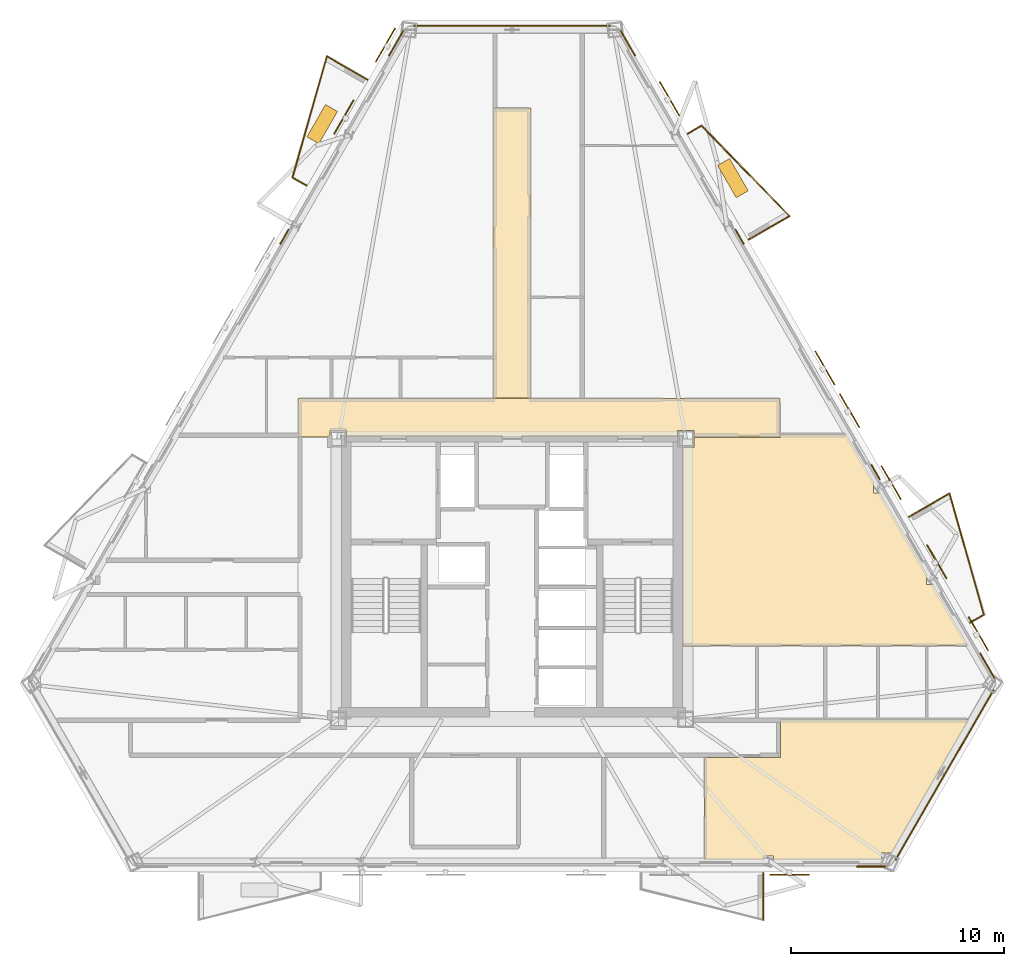
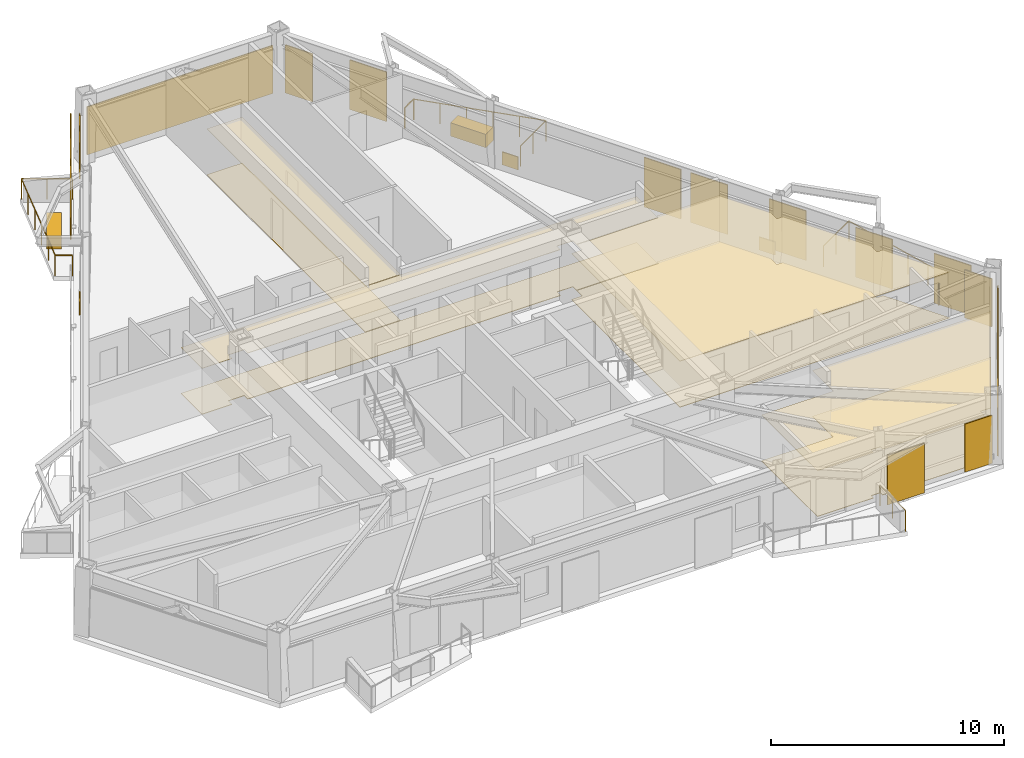
# One storey, part 9 of 9: 19 coverings, 10 railings, 9 shading devices.
"""IFC4 building model written with IfcOpenShell, lengths in metres."""

from ifc_helpers import new_model, si_unit, direction, frame, origin, origin_2d, place, context, subcontext, project, spatial, polyline, rectangle, circle, outline, extrude, material, layer, layer_set, type_object, element, save


model = new_model("IFC4")

# Units and contexts
model_context = context("Model", 3, precision=1e-05, world=origin(), true_north=direction((0.0, 1.0)))
body_context = subcontext(model_context, "Body", "Model", "MODEL_VIEW")
ifc_project = project(units=[si_unit("LENGTHUNIT", "METRE"), si_unit("AREAUNIT", "SQUARE_METRE"), si_unit("VOLUMEUNIT", "CUBIC_METRE"), si_unit("PLANEANGLEUNIT", "RADIAN"), si_unit("MASSUNIT", "GRAM", prefix="KILO")], contexts=[model_context])

# Site, building, storey
site_placement = place(None, origin())
site = spatial("IfcSite", under=ifc_project, at=site_placement, CompositionType="ELEMENT")
building_placement = place(site_placement, origin())
building = spatial("IfcBuilding", under=site, at=building_placement, Name="Oramaril Tower", CompositionType="ELEMENT")
storey_placement = place(building_placement, frame((0.0, 0.0, 145.800048828125)))
storey = spatial("IfcBuildingStorey", under=building, at=storey_placement, Name="L38", CompositionType="ELEMENT", Elevation=145.800048828125)

# Coverings
ifc_material_1 = material(Name="Mineral Fibre Acoustic Ceiling")
ifc_layer_1 = layer(ifc_material_1, 0.02001953125)
ifc_layer_set_1 = layer_set([ifc_layer_1], Name="CVT-CEIL")
covering_type_1 = type_object("IfcCoveringType", Name="CVT-CEIL", PredefinedType="CEILING", material=ifc_layer_set_1)
covering_1_placement = place(storey_placement, frame((0.0, 0.0, 2.411865234375)))
element("IfcCovering", 1, at=covering_1_placement, inside=storey, type_object=covering_type_1, Name="L38 Acoustic Suspended Ceiling 2", PredefinedType="CEILING", context=body_context, shape_type="SweptSolid", body=[
    extrude(outline(polyline([(50.080078125, 24.239990234375), (46.044921875, 24.239990234375), (46.044921875, 24.544921875), (45.2548828125, 24.544921875), (45.2548828125, 24.25), (29.7451171875, 24.25), (29.7451171875, 24.544921875), (28.955078125, 24.544921875), (28.955078125, 24.239990234375), (27.469970703125, 24.239990234375), (27.469970703125, 26.050048828125), (50.080078125, 26.050048828125), (50.080078125, 24.239990234375)])), origin(), (0.0, 0.0, 1.0), 0.02001953125),
])
covering_2_placement = place(storey_placement, frame((0.0, 0.0, 2.411865234375)))
element("IfcCovering", 2, at=covering_2_placement, inside=storey, type_object=covering_type_1, Name="L38 Acoustic Suspended Ceiling 4", PredefinedType="CEILING", context=body_context, shape_type="SweptSolid", body=[
    extrude(outline(polyline([(38.3798828125, 26.070068359375), (36.6201171875, 26.070068359375), (36.6201171875, 39.679931640625), (38.3798828125, 39.679931640625), (38.3798828125, 26.070068359375)])), origin(), (0.0, 0.0, 1.0), 0.02001953125),
])
covering_3_placement = place(storey_placement, frame((0.0, 0.0, 2.411865234375)))
element("IfcCovering", 3, at=covering_3_placement, inside=storey, type_object=covering_type_1, Name="L38 Acoustic Suspended Ceiling 7", PredefinedType="CEILING", context=body_context, shape_type="SweptSolid", body=[
    extrude(outline(polyline([(58.952880859375, 10.991943359375), (55.335693359375, 4.726806640625), (54.831787109375, 4.726806640625), (54.831787109375, 4.38671875), (49.780029296875, 4.38671875), (49.780029296875, 4.576416015625), (49.317626953125, 4.576416015625), (49.317626953125, 4.38671875), (46.540283203125, 4.38671875), (46.540283203125, 9.199951171875), (50.080078125, 9.199951171875), (50.08203125, 9.2001953125), (50.083984375, 9.200439453125), (50.085693359375, 9.200927734375), (50.087646484375, 9.201416015625), (50.08935546875, 9.202392578125), (50.091064453125, 9.203369140625), (50.0927734375, 9.20458984375), (50.093994140625, 9.205810546875), (50.095458984375, 9.207275390625), (50.0966796875, 9.208984375), (50.09765625, 9.210693359375), (50.098388671875, 9.21240234375), (50.09912109375, 9.214111328125), (50.099609375, 9.216064453125), (50.099853515625, 9.218017578125), (50.10009765625, 9.219970703125), (50.10009765625, 10.991943359375), (58.952880859375, 10.991943359375)])), origin(), (0.0, 0.0, 1.0), 0.02001953125),
])
covering_4_placement = place(storey_placement, frame((0.0, 0.0, 2.411865234375)))
element("IfcCovering", 4, at=covering_4_placement, inside=storey, type_object=covering_type_1, Name="L38 Acoustic Suspended Ceiling 16", PredefinedType="CEILING", context=body_context, shape_type="SweptSolid", body=[
    extrude(outline(polyline([(54.490478515625, 22.097900390625), (54.461669921875, 22.097900390625), (54.461669921875, 21.608154296875), (54.773193359375, 21.608154296875), (56.96875, 17.8056640625), (56.944580078125, 17.8056640625), (56.944580078125, 17.307373046875), (57.25634765625, 17.307373046875), (58.9130859375, 14.43798828125), (45.51806640625, 14.43798828125), (45.51806640625, 23.7548828125), (46.044921875, 23.7548828125), (46.044921875, 24.219970703125), (50.080078125, 24.219970703125), (50.08203125, 24.22021484375), (50.083984375, 24.220458984375), (50.085693359375, 24.220947265625), (50.087646484375, 24.221435546875), (50.08935546875, 24.222412109375), (50.091064453125, 24.223388671875), (50.0927734375, 24.224609375), (50.093994140625, 24.225830078125), (50.095458984375, 24.227294921875), (50.0966796875, 24.22900390625), (50.09765625, 24.230712890625), (50.098388671875, 24.232421875), (50.09912109375, 24.234130859375), (50.099609375, 24.236083984375), (50.099853515625, 24.238037109375), (50.10009765625, 24.239990234375), (50.10009765625, 24.362060546875), (53.183349609375, 24.362060546875), (54.490478515625, 22.097900390625)])), origin(), (0.0, 0.0, 1.0), 0.02001953125),
])
ifc_material_2 = material(Name="Warm Cream Limestone", Category="masonry")
ifc_layer_2 = layer(ifc_material_2, 0.050048828125)
ifc_layer_set_2 = layer_set([ifc_layer_2], Name="CVT-CLD")
covering_type_2 = type_object("IfcCoveringType", Name="CVT-CLD", PredefinedType="CLADDING", material=ifc_layer_set_2)
covering_5_placement = place(storey_placement, frame((54.351806640625, 4.085693359375, 0.0400390625), z_axis=(0.0, 0.0, 1.0), x_axis=(1.0, 0.0, 0.0)))
element("IfcCovering", 5, at=covering_5_placement, inside=storey, type_object=covering_type_2, Name="L38 Warm Cream Limestone Cladding", PredefinedType="CLADDING", context=body_context, shape_type="SweptSolid", body=[
    extrude(rectangle(XDim=1.35009765625, YDim=0.050048828125, at=origin_2d()), origin(), (0.0, 0.0, 1.0), 2.52001953125),
])
covering_6_placement = place(storey_placement, frame((57.794189453125, 8.383056640625, 0.0400390625), z_axis=(0.0, 0.0, 1.0), x_axis=(0.500003022996, 0.86602365845, 0.0)))
element("IfcCovering", 6, at=covering_6_placement, inside=storey, type_object=covering_type_2, Name="L38 Warm Cream Limestone Cladding", PredefinedType="CLADDING", context=body_context, shape_type="SweptSolid", body=[
    extrude(rectangle(XDim=9.201416015625, YDim=0.050048828125, at=origin_2d()), origin(), (0.0, 0.0, 1.0), 2.52001953125),
])
for number, where, z_axis, x_axis, name in (
    (7, (59.79443359375, 13.512939453125, 0.0400390625), (0.0, 0.0, 1.0), (-0.4999984885, 0.866026276448, 0.0), "L38 Warm Cream Limestone Cladding"),
    (8, (42.94287109375, 42.701171875, 0.0400390625), (0.0, 0.0, 1.0), (-0.4999984885, 0.866026276448, 0.0), "L38 Warm Cream Limestone Cladding"),
):
    element("IfcCovering", number, at=place(storey_placement, frame(where, z_axis=z_axis, x_axis=x_axis)), inside=storey, type_object=covering_type_2, Name=name, PredefinedType="CLADDING", context=body_context, shape_type="SweptSolid", body=[
        extrude(rectangle(XDim=1.35009765625, YDim=0.050048828125, at=origin_2d()), origin(), (0.0, 0.0, 1.0), 2.52001953125),
    ])
for number, where, z_axis, x_axis, name in (
    (9, (54.554931640625, 22.588134765625, 0.0400390625), (0.0, 0.0, 1.0), (-0.4999984885, 0.866026276448, 0.0), "L38 Warm Cream Limestone Spandrel Cladding"),
    (10, (48.182373046875, 33.6259765625, 0.0400390625), (0.0, 0.0, 1.0), (-0.4999984885, 0.866026276448, 0.0), "L38 Warm Cream Limestone Spandrel Cladding"),
):
    element("IfcCovering", number, at=place(storey_placement, frame(where, z_axis=z_axis, x_axis=x_axis)), inside=storey, type_object=covering_type_2, Name=name, PredefinedType="CLADDING", context=body_context, shape_type="SweptSolid", body=[
        extrude(rectangle(XDim=0.800048828125, YDim=0.050048828125, at=origin_2d()), origin(), (0.0, 0.0, 1.0), 0.679931640625),
    ])
covering_7_placement = place(storey_placement, frame((37.5, 43.53369140625, 0.0400390625), z_axis=(0.0, 0.0, 1.0), x_axis=(-1.0, 0.0, 0.0)))
element("IfcCovering", 11, at=covering_7_placement, inside=storey, type_object=covering_type_2, Name="L38 Warm Cream Limestone Cladding", PredefinedType="CLADDING", context=body_context, shape_type="SweptSolid", body=[
    extrude(rectangle(XDim=9.201416015625, YDim=0.050048828125, at=origin_2d()), origin(), (0.0, 0.0, 1.0), 2.52001953125),
])
covering_8_placement = place(storey_placement, frame((32.05712890625, 42.701171875, 0.0400390625), z_axis=(0.0, 0.0, 1.0), x_axis=(-0.4999984885, -0.866026276448, 0.0)))
element("IfcCovering", 12, at=covering_8_placement, inside=storey, type_object=covering_type_2, Name="L38 Warm Cream Limestone Cladding", PredefinedType="CLADDING", context=body_context, shape_type="SweptSolid", body=[
    extrude(rectangle(XDim=1.35009765625, YDim=0.050048828125, at=origin_2d()), origin(), (0.0, 0.0, 1.0), 2.52001953125),
])
covering_9_placement = place(storey_placement, frame((26.817626953125, 33.6259765625, 0.0400390625), z_axis=(0.0, 0.0, 1.0), x_axis=(-0.4999984885, -0.866026276448, 0.0)))
element("IfcCovering", 13, at=covering_9_placement, inside=storey, type_object=covering_type_2, Name="L38 Warm Cream Limestone Spandrel Cladding", PredefinedType="CLADDING", context=body_context, shape_type="SweptSolid", body=[
    extrude(rectangle(XDim=0.800048828125, YDim=0.050048828125, at=origin_2d()), origin(), (0.0, 0.0, 1.0), 0.679931640625),
])
for number, where, z_axis, x_axis, name in (
    (14, (47.86572265625, 36.381591796875, 0.0), (0.0, 0.0, 1.0), (-0.4999984885, 0.866026276448, 0.0), "L38 Structural Tree Planter Box L38-BAL-NE2"),
    (15, (28.5966796875, 38.91455078125, 0.0), (0.0, 0.0, 1.0), (-0.4999984885, -0.866026276448, 0.0), "L38 Structural Tree Planter Box L38-BAL-NW1"),
):
    element("IfcCovering", number, at=place(storey_placement, frame(where, z_axis=z_axis, x_axis=x_axis)), inside=storey, type_object=covering_type_2, Name=name, PredefinedType="CLADDING", context=body_context, shape_type="SweptSolid", body=[
        extrude(rectangle(XDim=1.75, YDim=0.64990234375, at=origin_2d()), origin(), (0.0, 0.0, 1.0), 0.699951171875),
    ])
ifc_material_3 = material(Name="Honed Quartzite Stone Flooring", Category="masonry")
ifc_layer_3 = layer(ifc_material_3, 0.02490234375)
ifc_layer_set_3 = layer_set([ifc_layer_3], Name="CVT-FLR")
covering_type_3 = type_object("IfcCoveringType", Name="CVT-FLR", PredefinedType="FLOORING", material=ifc_layer_set_3)
covering_10_placement = place(storey_placement, origin())
element("IfcCovering", 16, at=covering_10_placement, inside=storey, type_object=covering_type_3, Name="L38 Honed Stone Floor Finish 2", PredefinedType="FLOORING", context=body_context, shape_type="SweptSolid", body=[
    extrude(outline(polyline([(50.080078125, 24.239990234375), (46.044921875, 24.239990234375), (46.044921875, 24.544921875), (45.2548828125, 24.544921875), (45.2548828125, 24.25), (29.7451171875, 24.25), (29.7451171875, 24.544921875), (28.955078125, 24.544921875), (28.955078125, 24.239990234375), (27.469970703125, 24.239990234375), (27.469970703125, 26.050048828125), (50.080078125, 26.050048828125), (50.080078125, 24.239990234375)])), origin(), (0.0, 0.0, 1.0), 0.02490234375),
])
covering_11_placement = place(storey_placement, origin())
element("IfcCovering", 17, at=covering_11_placement, inside=storey, type_object=covering_type_3, Name="L38 Honed Stone Floor Finish 4", PredefinedType="FLOORING", context=body_context, shape_type="SweptSolid", body=[
    extrude(outline(polyline([(38.3798828125, 26.070068359375), (36.6201171875, 26.070068359375), (36.6201171875, 39.679931640625), (38.3798828125, 39.679931640625), (38.3798828125, 26.070068359375)])), origin(), (0.0, 0.0, 1.0), 0.02490234375),
])
covering_12_placement = place(storey_placement, origin())
element("IfcCovering", 18, at=covering_12_placement, inside=storey, type_object=covering_type_3, Name="L38 Honed Stone Floor Finish 7", PredefinedType="FLOORING", context=body_context, shape_type="SweptSolid", body=[
    extrude(outline(polyline([(58.952880859375, 10.991943359375), (55.335693359375, 4.726806640625), (54.831787109375, 4.726806640625), (54.831787109375, 4.38671875), (49.780029296875, 4.38671875), (49.780029296875, 4.576416015625), (49.317626953125, 4.576416015625), (49.317626953125, 4.38671875), (46.540283203125, 4.38671875), (46.540283203125, 9.199951171875), (50.080078125, 9.199951171875), (50.08203125, 9.2001953125), (50.083984375, 9.200439453125), (50.085693359375, 9.200927734375), (50.087646484375, 9.201416015625), (50.08935546875, 9.202392578125), (50.091064453125, 9.203369140625), (50.0927734375, 9.20458984375), (50.093994140625, 9.205810546875), (50.095458984375, 9.207275390625), (50.0966796875, 9.208984375), (50.09765625, 9.210693359375), (50.098388671875, 9.21240234375), (50.09912109375, 9.214111328125), (50.099609375, 9.216064453125), (50.099853515625, 9.218017578125), (50.10009765625, 9.219970703125), (50.10009765625, 10.991943359375), (58.952880859375, 10.991943359375)])), origin(), (0.0, 0.0, 1.0), 0.02490234375),
])
covering_13_placement = place(storey_placement, origin())
element("IfcCovering", 19, at=covering_13_placement, inside=storey, type_object=covering_type_3, Name="L38 Honed Stone Floor Finish 16", PredefinedType="FLOORING", context=body_context, shape_type="SweptSolid", body=[
    extrude(outline(polyline([(54.490478515625, 22.097900390625), (54.461669921875, 22.097900390625), (54.461669921875, 21.608154296875), (54.773193359375, 21.608154296875), (56.96875, 17.8056640625), (56.944580078125, 17.8056640625), (56.944580078125, 17.307373046875), (57.25634765625, 17.307373046875), (58.9130859375, 14.43798828125), (45.51806640625, 14.43798828125), (45.51806640625, 23.7548828125), (46.044921875, 23.7548828125), (46.044921875, 24.219970703125), (50.080078125, 24.219970703125), (50.08203125, 24.22021484375), (50.083984375, 24.220458984375), (50.085693359375, 24.220947265625), (50.087646484375, 24.221435546875), (50.08935546875, 24.222412109375), (50.091064453125, 24.223388671875), (50.0927734375, 24.224609375), (50.093994140625, 24.225830078125), (50.095458984375, 24.227294921875), (50.0966796875, 24.22900390625), (50.09765625, 24.230712890625), (50.098388671875, 24.232421875), (50.09912109375, 24.234130859375), (50.099609375, 24.236083984375), (50.099853515625, 24.238037109375), (50.10009765625, 24.239990234375), (50.10009765625, 24.362060546875), (53.183349609375, 24.362060546875), (54.490478515625, 22.097900390625)])), origin(), (0.0, 0.0, 1.0), 0.02490234375),
])

# Railings
ifc_material_4 = material(Name="Stainless Steel 316L", Category="steel")
railing_type = type_object("IfcRailingType", Name="RLT-GRD", PredefinedType="GUARDRAIL", material=ifc_material_4)
railing_1_placement = place(storey_placement, frame((49.2822265625, 3.770751953125, 0.0)))
element("IfcRailing", 20, at=railing_1_placement, inside=storey, type_object=railing_type, Name="L38 Balcony Guardrail L38-BAL-S2.1", PredefinedType="GUARDRAIL", context=body_context, shape_type="SweptSolid", body=[
    extrude(circle(Radius=0.02392578125, at=origin_2d()), frame((0.0, 0.0, 1.076171875), z_axis=(0.0, -1.0, 0.0), x_axis=(1.0, 0.0, 0.0)), (0.0, 0.0, 1.0), 2.19189453125),
    extrude(circle(Radius=0.02099609375, at=origin_2d()), origin(), (0.0, 0.0, 1.0), 1.052001953125),
    extrude(circle(Radius=0.02099609375, at=origin_2d()), frame((0.0, -1.095947265625, 0.0)), (0.0, 0.0, 1.0), 1.052001953125),
    extrude(circle(Radius=0.02099609375, at=origin_2d()), frame((0.0, -2.19189453125, 0.0)), (0.0, 0.0, 1.0), 1.052001953125),
])
railing_2_placement = place(storey_placement, frame((56.130126953125, 20.489990234375, 0.0)))
element("IfcRailing", 21, at=railing_2_placement, inside=storey, type_object=railing_type, Name="L38 Balcony Guardrail L38-BAL-NE1.1", PredefinedType="GUARDRAIL", context=body_context, shape_type="SweptSolid", body=[
    extrude(circle(Radius=0.02392578125, at=origin_2d()), frame((0.0, 0.0, 1.076171875), z_axis=(0.866048343933, 0.499960264392, 0.0), x_axis=(-0.499960264392, 0.866048343933, 0.0)), (0.0, 0.0, 1.0), 2.192138671875),
    extrude(circle(Radius=0.02099609375, at=origin_2d()), origin(), (0.0, 0.0, 1.0), 1.052001953125),
    extrude(circle(Radius=0.02099609375, at=origin_2d()), frame((0.94921875, 0.5478515625, 0.0)), (0.0, 0.0, 1.0), 1.052001953125),
    extrude(circle(Radius=0.02099609375, at=origin_2d()), frame((1.8984375, 1.095947265625, 0.0)), (0.0, 0.0, 1.0), 1.052001953125),
])
railing_3_placement = place(storey_placement, frame((58.028564453125, 21.5859375, 0.0)))
element("IfcRailing", 22, at=railing_3_placement, inside=storey, type_object=railing_type, Name="L38 Balcony Guardrail L38-BAL-NE1.2", PredefinedType="GUARDRAIL", context=body_context, shape_type="SweptSolid", body=[
    extrude(circle(Radius=0.02392578125, at=origin_2d()), frame((0.0, 0.0, 1.076171875), z_axis=(0.27224886544, -0.962226873074, 0.0), x_axis=(0.962226873074, 0.27224886544, 0.0)), (0.0, 0.0, 1.0), 5.910400390625),
    extrude(circle(Radius=0.02099609375, at=origin_2d()), origin(), (0.0, 0.0, 1.0), 1.052001953125),
    extrude(circle(Radius=0.02099609375, at=origin_2d()), frame((0.32177734375, -1.137451171875, 0.0)), (0.0, 0.0, 1.0), 1.052001953125),
    extrude(circle(Radius=0.02099609375, at=origin_2d()), frame((0.6435546875, -2.27490234375, 0.0)), (0.0, 0.0, 1.0), 1.052001953125),
    extrude(circle(Radius=0.02099609375, at=origin_2d()), frame((0.965576171875, -3.412353515625, 0.0)), (0.0, 0.0, 1.0), 1.052001953125),
    extrude(circle(Radius=0.02099609375, at=origin_2d()), frame((1.287353515625, -4.5498046875, 0.0)), (0.0, 0.0, 1.0), 1.052001953125),
    extrude(circle(Radius=0.02099609375, at=origin_2d()), frame((1.609130859375, -5.687255859375, 0.0)), (0.0, 0.0, 1.0), 1.052001953125),
])
railing_4_placement = place(storey_placement, frame((59.6376953125, 15.898681640625, 0.0)))
element("IfcRailing", 23, at=railing_4_placement, inside=storey, type_object=railing_type, Name="L38 Balcony Guardrail L38-BAL-NE1.3", PredefinedType="GUARDRAIL", context=body_context, shape_type="SweptSolid", body=[
    extrude(circle(Radius=0.02392578125, at=origin_2d()), frame((0.0, 0.0, 1.076171875), z_axis=(-0.865966403178, -0.500102178127, 0.0), x_axis=(0.500102178127, -0.865966403178, 0.0)), (0.0, 0.0, 1.0), 0.741943359375),
    extrude(circle(Radius=0.02099609375, at=origin_2d()), origin(), (0.0, 0.0, 1.0), 1.052001953125),
    extrude(circle(Radius=0.02099609375, at=origin_2d()), frame((-0.642578125, -0.37109375, 0.0)), (0.0, 0.0, 1.0), 1.052001953125),
])
railing_5_placement = place(storey_placement, frame((45.75048828125, 38.468505859375, 0.0)))
element("IfcRailing", 24, at=railing_5_placement, inside=storey, type_object=railing_type, Name="L38 Balcony Guardrail L38-BAL-NE2.1", PredefinedType="GUARDRAIL", context=body_context, shape_type="SweptSolid", body=[
    extrude(circle(Radius=0.02392578125, at=origin_2d()), frame((0.0, 0.0, 1.076171875), z_axis=(0.866026623601, 0.49999788721, 0.0), x_axis=(-0.49999788721, 0.866026623601, 0.0)), (0.0, 0.0, 1.0), 0.74169921875),
    extrude(circle(Radius=0.02099609375, at=origin_2d()), origin(), (0.0, 0.0, 1.0), 1.052001953125),
    extrude(circle(Radius=0.02099609375, at=origin_2d()), frame((0.642333984375, 0.370849609375, 0.0)), (0.0, 0.0, 1.0), 1.052001953125),
])
railing_6_placement = place(storey_placement, frame((46.392822265625, 38.83935546875, 0.0)))
element("IfcRailing", 25, at=railing_6_placement, inside=storey, type_object=railing_type, Name="L38 Balcony Guardrail L38-BAL-NE2.2", PredefinedType="GUARDRAIL", context=body_context, shape_type="SweptSolid", body=[
    extrude(circle(Radius=0.02392578125, at=origin_2d()), frame((0.0, 0.0, 1.076171875), z_axis=(0.697186915353, -0.716889395277, 0.0), x_axis=(0.716889395277, 0.697186915353, 0.0)), (0.0, 0.0, 1.0), 5.91064453125),
    extrude(circle(Radius=0.02099609375, at=origin_2d()), origin(), (0.0, 0.0, 1.0), 1.052001953125),
    extrude(circle(Radius=0.02099609375, at=origin_2d()), frame((0.82421875, -0.847412109375, 0.0)), (0.0, 0.0, 1.0), 1.052001953125),
    extrude(circle(Radius=0.02099609375, at=origin_2d()), frame((1.6484375, -1.69482421875, 0.0)), (0.0, 0.0, 1.0), 1.052001953125),
    extrude(circle(Radius=0.02099609375, at=origin_2d()), frame((2.472412109375, -2.54248046875, 0.0)), (0.0, 0.0, 1.0), 1.052001953125),
    extrude(circle(Radius=0.02099609375, at=origin_2d()), frame((3.296630859375, -3.389892578125, 0.0)), (0.0, 0.0, 1.0), 1.052001953125),
    extrude(circle(Radius=0.02099609375, at=origin_2d()), frame((4.120849609375, -4.2373046875, 0.0)), (0.0, 0.0, 1.0), 1.052001953125),
])
railing_7_placement = place(storey_placement, frame((50.513671875, 34.60205078125, 0.0)))
element("IfcRailing", 26, at=railing_7_placement, inside=storey, type_object=railing_type, Name="L38 Balcony Guardrail L38-BAL-NE2.3", PredefinedType="GUARDRAIL", context=body_context, shape_type="SweptSolid", body=[
    extrude(circle(Radius=0.02392578125, at=origin_2d()), frame((0.0, 0.0, 1.076171875), z_axis=(-0.866020500697, -0.5000084923, 0.0), x_axis=(0.5000084923, -0.866020500697, 0.0)), (0.0, 0.0, 1.0), 2.19189453125),
    extrude(circle(Radius=0.02099609375, at=origin_2d()), origin(), (0.0, 0.0, 1.0), 1.052001953125),
    extrude(circle(Radius=0.02099609375, at=origin_2d()), frame((-0.94921875, -0.5478515625, 0.0)), (0.0, 0.0, 1.0), 1.052001953125),
    extrude(circle(Radius=0.02099609375, at=origin_2d()), frame((-1.898193359375, -1.095947265625, 0.0)), (0.0, 0.0, 1.0), 1.052001953125),
])
railing_8_placement = place(storey_placement, frame((27.84716796875, 36.039306640625, 0.0)))
element("IfcRailing", 27, at=railing_8_placement, inside=storey, type_object=railing_type, Name="L38 Balcony Guardrail L38-BAL-NW1.1", PredefinedType="GUARDRAIL", context=body_context, shape_type="SweptSolid", body=[
    extrude(circle(Radius=0.02392578125, at=origin_2d()), frame((0.0, 0.0, 1.076171875), z_axis=(-0.865966403178, 0.500102178127, 0.0), x_axis=(-0.500102178127, -0.865966403178, 0.0)), (0.0, 0.0, 1.0), 0.741943359375),
    extrude(circle(Radius=0.02099609375, at=origin_2d()), origin(), (0.0, 0.0, 1.0), 1.052001953125),
    extrude(circle(Radius=0.02099609375, at=origin_2d()), frame((-0.642578125, 0.37109375, 0.0)), (0.0, 0.0, 1.0), 1.052001953125),
])
railing_9_placement = place(storey_placement, frame((27.20458984375, 36.410400390625, 0.0)))
element("IfcRailing", 28, at=railing_9_placement, inside=storey, type_object=railing_type, Name="L38 Balcony Guardrail L38-BAL-NW1.2", PredefinedType="GUARDRAIL", context=body_context, shape_type="SweptSolid", body=[
    extrude(circle(Radius=0.02392578125, at=origin_2d()), frame((0.0, 0.0, 1.076171875), z_axis=(0.272259686627, 0.962223811303, 0.0), x_axis=(-0.962223811303, 0.272259686627, 0.0)), (0.0, 0.0, 1.0), 5.910400390625),
    extrude(circle(Radius=0.02099609375, at=origin_2d()), origin(), (0.0, 0.0, 1.0), 1.052001953125),
    extrude(circle(Radius=0.02099609375, at=origin_2d()), frame((0.32177734375, 1.137451171875, 0.0)), (0.0, 0.0, 1.0), 1.052001953125),
    extrude(circle(Radius=0.02099609375, at=origin_2d()), frame((0.6435546875, 2.27490234375, 0.0)), (0.0, 0.0, 1.0), 1.052001953125),
    extrude(circle(Radius=0.02099609375, at=origin_2d()), frame((0.965576171875, 3.412109375, 0.0)), (0.0, 0.0, 1.0), 1.052001953125),
    extrude(circle(Radius=0.02099609375, at=origin_2d()), frame((1.287353515625, 4.549560546875, 0.0)), (0.0, 0.0, 1.0), 1.052001953125),
    extrude(circle(Radius=0.02099609375, at=origin_2d()), frame((1.609130859375, 5.68701171875, 0.0)), (0.0, 0.0, 1.0), 1.052001953125),
])
railing_10_placement = place(storey_placement, frame((28.813720703125, 42.097412109375, 0.0)))
element("IfcRailing", 29, at=railing_10_placement, inside=storey, type_object=railing_type, Name="L38 Balcony Guardrail L38-BAL-NW1.3", PredefinedType="GUARDRAIL", context=body_context, shape_type="SweptSolid", body=[
    extrude(circle(Radius=0.02392578125, at=origin_2d()), frame((0.0, 0.0, 1.076171875), z_axis=(0.866048343933, -0.499960264392, 0.0), x_axis=(0.499960264392, 0.866048343933, 0.0)), (0.0, 0.0, 1.0), 2.192138671875),
    extrude(circle(Radius=0.02099609375, at=origin_2d()), origin(), (0.0, 0.0, 1.0), 1.052001953125),
    extrude(circle(Radius=0.02099609375, at=origin_2d()), frame((0.94921875, -0.5478515625, 0.0)), (0.0, 0.0, 1.0), 1.052001953125),
    extrude(circle(Radius=0.02099609375, at=origin_2d()), frame((1.8984375, -1.095947265625, 0.0)), (0.0, 0.0, 1.0), 1.052001953125),
])

# Shading devices
for number, where, z_axis, x_axis, name in (
    (30, (50.521240234375, 3.69873046875, -0.02001953125), (0.0, 0.0, 1.0), (1.0, 0.0, 0.0), "L38 Perforated Ceramic Solar Screen"),
    (31, (59.378662109375, 15.00732421875, -0.02001953125), (0.0, 0.0, 1.0), (-0.4999984885, 0.866026276448, 0.0), "L38 Perforated Ceramic Solar Screen"),
    (32, (57.4287109375, 18.384765625, -0.02001953125), (0.0, 0.0, 1.0), (-0.4999984885, 0.866026276448, 0.0), "L38 Perforated Ceramic Solar Screen"),
    (33, (55.28955078125, 22.090087890625, -0.02001953125), (0.0, 0.0, 1.0), (-0.4999984885, 0.866026276448, 0.0), "L38 Perforated Ceramic Solar Screen"),
    (34, (53.339599609375, 25.467529296875, -0.02001953125), (0.0, 0.0, 1.0), (-0.4999984885, 0.866026276448, 0.0), "L38 Perforated Ceramic Solar Screen"),
    (35, (52.181884765625, 27.472900390625, -0.02001953125), (0.0, 0.0, 1.0), (-0.4999984885, 0.866026276448, 0.0), "L38 Perforated Ceramic Solar Screen"),
    (36, (44.885498046875, 40.1103515625, -0.02001953125), (0.0, 0.0, 1.0), (-0.4999984885, 0.866026276448, 0.0), "L38 Perforated Ceramic Solar Screen"),
    (37, (31.563720703125, 42.620361328125, -0.02001953125), (0.0, 0.0, 1.0), (-0.4999984885, -0.866026276448, 0.0), "L38 Perforated Ceramic Solar Screen"),
    (38, (29.613525390625, 39.242919921875, -0.02001953125), (0.0, 0.0, 1.0), (-0.4999984885, -0.866026276448, 0.0), "L38 Perforated Ceramic Solar Screen"),
):
    element("IfcShadingDevice", number, at=place(storey_placement, frame(where, z_axis=z_axis, x_axis=x_axis)), inside=storey, Name=name, ObjectType="SCREEN", PredefinedType="USERDEFINED", context=body_context, shape_type="SweptSolid", body=[
        extrude(rectangle(XDim=1.8330078125, YDim=0.050048828125, at=origin_2d()), origin(), (0.0, 0.0, 1.0), 2.60009765625),
    ])

save(model, "model.ifc")
